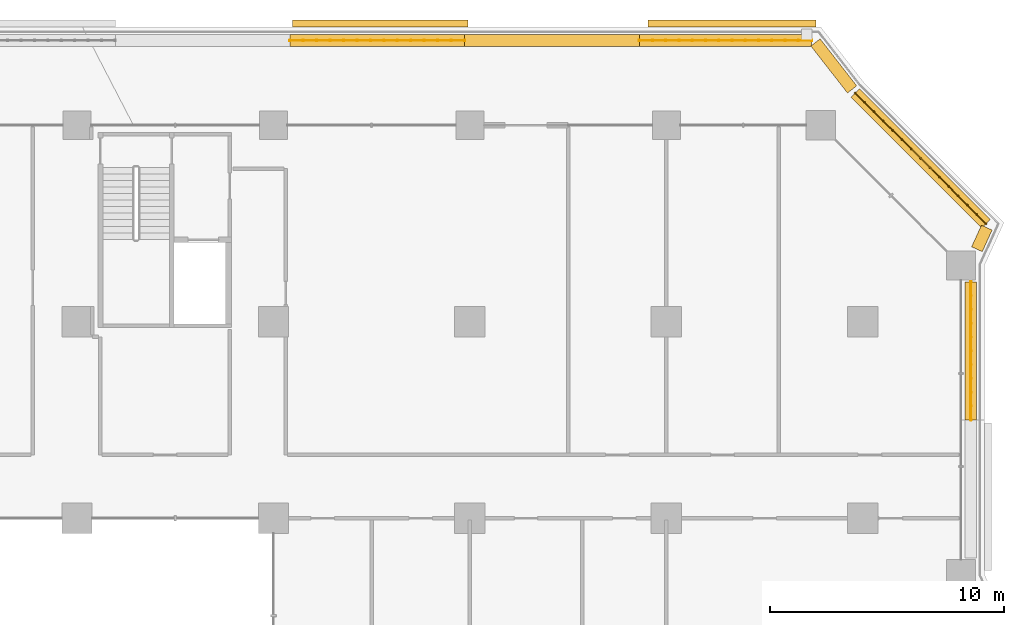
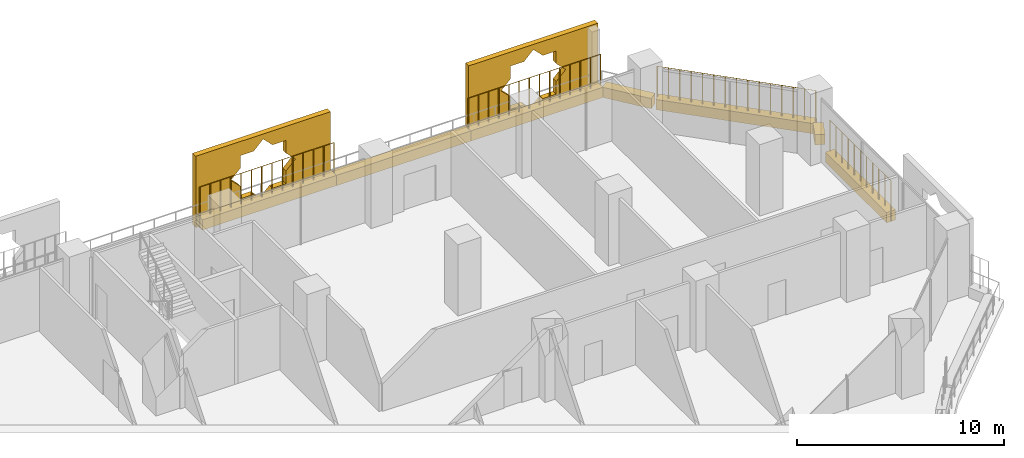
# One storey, part 28 of 28: 9 coverings, 4 railings.
"""IFC4 building model written with IfcOpenShell, lengths in metres."""

from ifc_helpers import new_model, si_unit, direction, frame, origin, origin_2d, place, context, subcontext, project, spatial, polyline, rectangle, circle, outline, extrude, material, material_profile, profile_set, type_object, element, save


model = new_model("IFC4")

# Units and contexts
model_context = context("Model", 3, precision=1e-05, world=origin(), true_north=direction((0.0, 1.0)))
body_context = subcontext(model_context, "Body", "Model", "MODEL_VIEW")
ifc_project = project(units=[si_unit("LENGTHUNIT", "METRE"), si_unit("AREAUNIT", "SQUARE_METRE"), si_unit("VOLUMEUNIT", "CUBIC_METRE"), si_unit("PLANEANGLEUNIT", "RADIAN"), si_unit("MASSUNIT", "GRAM", prefix="KILO")], contexts=[model_context])

# Site, building, storey
site_placement = place(None, origin())
site = spatial("IfcSite", under=ifc_project, at=site_placement, CompositionType="ELEMENT")
building_placement = place(site_placement, origin())
building = spatial("IfcBuilding", under=site, at=building_placement, Name="Kawkab Arch Medical Tower", CompositionType="ELEMENT")
storey_placement = place(building_placement, frame((0.0, 0.0, 47.60009765625)))
storey = spatial("IfcBuildingStorey", under=building, at=storey_placement, Name="L10", CompositionType="ELEMENT", Elevation=47.60009765625)

# Coverings
ifc_material_1 = material(Name="Bronze anodised aluminium mashrabiya panel, eight-point star pattern", Category="aluminium")
ifc_material_profile_1 = material_profile(ifc_material_1, outline(polyline([(-3.60009765625, -2.10009765625), (3.60009765625, -2.10009765625), (3.60009765625, 2.10009765625), (-3.60009765625, 2.10009765625), (-3.60009765625, -2.10009765625)]), holes=[polyline([(1.800048828125, 0.0), (1.272705078125, 0.527099609375), (1.272705078125, 1.272705078125), (0.527099609375, 1.272705078125), (0.0, 1.800048828125), (-0.527099609375, 1.272705078125), (-1.272705078125, 1.272705078125), (-1.272705078125, 0.527099609375), (-1.800048828125, 0.0), (-1.272705078125, -0.527099609375), (-1.272705078125, -1.272705078125), (-0.527099609375, -1.272705078125), (0.0, -1.800048828125), (0.527099609375, -1.272705078125), (1.272705078125, -1.272705078125), (1.272705078125, -0.527099609375), (1.800048828125, 0.0)])]), Name="Mashrabiya panel 7200x4200")
ifc_profile_set_1 = profile_set([ifc_material_profile_1], Name="Bronze anodised aluminium mashrabiya panel, eight-point star pattern")
covering_type_1 = type_object("IfcCoveringType", Name="Mashrabiya panel 7200 x 4200", PredefinedType="USERDEFINED", material=ifc_profile_set_1)
covering_1_placement = place(storey_placement, frame((70.009033203125, 4.199951171875, 1.699951171875), z_axis=(0.0, 1.0, 0.0), x_axis=(-1.0, 0.0, 0.0)))
element("IfcCovering", 1, at=covering_1_placement, inside=storey, type_object=covering_type_1, Name="Mashrabiya panel L10.LOG-01-02.8", ObjectType="SCREEN", PredefinedType="USERDEFINED", context=body_context, shape_type="SweptSolid", body=[
    extrude(outline(polyline([(-3.60009765625, -2.10009765625), (3.60009765625, -2.10009765625), (3.60009765625, 2.10009765625), (-3.60009765625, 2.10009765625), (-3.60009765625, -2.10009765625)]), holes=[polyline([(1.800048828125, 0.0), (1.272705078125, 0.527099609375), (1.272705078125, 1.272705078125), (0.527099609375, 1.272705078125), (0.0, 1.800048828125), (-0.527099609375, 1.272705078125), (-1.272705078125, 1.272705078125), (-1.272705078125, 0.527099609375), (-1.800048828125, 0.0), (-1.272705078125, -0.527099609375), (-1.272705078125, -1.272705078125), (-0.527099609375, -1.272705078125), (0.0, -1.800048828125), (0.527099609375, -1.272705078125), (1.272705078125, -1.272705078125), (1.272705078125, -0.527099609375), (1.800048828125, 0.0)])]), origin(), (0.0, 0.0, 1.0), 0.300048828125),
])
ifc_material_2 = material(Name="Bronze anodised aluminium mashrabiya panel, eight-point star pattern", Category="aluminium")
ifc_material_profile_2 = material_profile(ifc_material_2, outline(polyline([(-3.75, -2.10009765625), (3.75, -2.10009765625), (3.75, 2.10009765625), (-3.75, 2.10009765625), (-3.75, -2.10009765625)]), holes=[polyline([(1.800048828125, 0.0), (1.272705078125, 0.527099609375), (1.272705078125, 1.272705078125), (0.527099609375, 1.272705078125), (0.0, 1.800048828125), (-0.527099609375, 1.272705078125), (-1.272705078125, 1.272705078125), (-1.272705078125, 0.527099609375), (-1.800048828125, 0.0), (-1.272705078125, -0.527099609375), (-1.272705078125, -1.272705078125), (-0.527099609375, -1.272705078125), (0.0, -1.800048828125), (0.527099609375, -1.272705078125), (1.272705078125, -1.272705078125), (1.272705078125, -0.527099609375), (1.800048828125, 0.0)])]), Name="Mashrabiya panel 7500x4200")
ifc_profile_set_2 = profile_set([ifc_material_profile_2], Name="Bronze anodised aluminium mashrabiya panel, eight-point star pattern")
covering_type_2 = type_object("IfcCoveringType", Name="Mashrabiya panel 7500 x 4200", PredefinedType="USERDEFINED", material=ifc_profile_set_2)
covering_2_placement = place(storey_placement, frame((54.964599609375, 4.199951171875, 1.699951171875), z_axis=(0.0, 1.0, 0.0), x_axis=(-1.0, 0.0, 0.0)))
element("IfcCovering", 2, at=covering_2_placement, inside=storey, type_object=covering_type_2, Name="Mashrabiya panel L10.LOG-01-02.7", ObjectType="SCREEN", PredefinedType="USERDEFINED", context=body_context, shape_type="SweptSolid", body=[
    extrude(outline(polyline([(-3.75, -2.10009765625), (3.75, -2.10009765625), (3.75, 2.10009765625), (-3.75, 2.10009765625), (-3.75, -2.10009765625)]), holes=[polyline([(1.800048828125, 0.0), (1.272705078125, 0.527099609375), (1.272705078125, 1.272705078125), (0.527099609375, 1.272705078125), (0.0, 1.800048828125), (-0.527099609375, 1.272705078125), (-1.272705078125, 1.272705078125), (-1.272705078125, 0.527099609375), (-1.800048828125, 0.0), (-1.272705078125, -0.527099609375), (-1.272705078125, -1.272705078125), (-0.527099609375, -1.272705078125), (0.0, -1.800048828125), (0.527099609375, -1.272705078125), (1.272705078125, -1.272705078125), (1.272705078125, -0.527099609375), (1.800048828125, 0.0)])]), origin(), (0.0, 0.0, 1.0), 0.300048828125),
])
ifc_material_3 = material(Name="Planting soil in a precast trough", Category="concrete")
ifc_material_profile_3 = material_profile(ifc_material_3, rectangle(XDim=0.5, YDim=0.60009765625, at=origin_2d()), Name="Trough 500x600")
ifc_profile_set_3 = profile_set([ifc_material_profile_3], Name="Planting soil in a precast trough")
covering_type_3 = type_object("IfcCoveringType", Name="Planter trough 500 x 600", PredefinedType="USERDEFINED", material=ifc_profile_set_3)
covering_3_placement = place(storey_placement, frame((51.10498046875, 3.6201171875, 0.2998046875), z_axis=(1.0, 0.0, 0.0), x_axis=(0.0, 1.0, 0.0)))
element("IfcCovering", 3, at=covering_3_placement, inside=storey, type_object=covering_type_3, Name="Planter L10.LOG-01-02.31", ObjectType="PLANTER", PredefinedType="USERDEFINED", context=body_context, shape_type="SweptSolid", body=[
    extrude(rectangle(XDim=0.5, YDim=0.60009765625, at=origin_2d()), origin(), (0.0, 0.0, 1.0), 7.470947265625),
])
covering_4_placement = place(storey_placement, frame((58.575927734375, 3.6201171875, 0.2998046875), z_axis=(1.0, 0.0, 0.0), x_axis=(0.0, 1.0, 0.0)))
element("IfcCovering", 4, at=covering_4_placement, inside=storey, type_object=covering_type_3, Name="Planter L10.LOG-01-02.32", ObjectType="PLANTER", PredefinedType="USERDEFINED", context=body_context, shape_type="SweptSolid", body=[
    extrude(rectangle(XDim=0.5, YDim=0.60009765625, at=origin_2d()), origin(), (0.0, 0.0, 1.0), 7.469970703125),
])
covering_5_placement = place(storey_placement, frame((66.0458984375, 3.6201171875, 0.2998046875), z_axis=(1.0, 0.0, 0.0), x_axis=(0.0, 1.0, 0.0)))
element("IfcCovering", 5, at=covering_5_placement, inside=storey, type_object=covering_type_3, Name="Planter L10.LOG-01-02.33", ObjectType="PLANTER", PredefinedType="USERDEFINED", context=body_context, shape_type="SweptSolid", body=[
    extrude(rectangle(XDim=0.5, YDim=0.60009765625, at=origin_2d()), origin(), (0.0, 0.0, 1.0), 7.3701171875),
])
covering_6_placement = place(storey_placement, frame((73.577880859375, 3.541015625, 0.2998046875), z_axis=(0.614099956103, -0.789228258436, 0.0), x_axis=(0.789228258436, 0.614099956103, 0.0)))
element("IfcCovering", 6, at=covering_6_placement, inside=storey, type_object=covering_type_3, Name="Planter L10.LOG-01-02.34", ObjectType="PLANTER", PredefinedType="USERDEFINED", context=body_context, shape_type="SweptSolid", body=[
    extrude(rectangle(XDim=0.5, YDim=0.60009765625, at=origin_2d()), origin(), (0.0, 0.0, 1.0), 2.545654296875),
])
covering_7_placement = place(storey_placement, frame((75.27294921875, 1.383056640625, 0.2998046875), z_axis=(0.707106781187, -0.707106781187, 0.0), x_axis=(0.707106781187, 0.707106781187, 0.0)))
element("IfcCovering", 7, at=covering_7_placement, inside=storey, type_object=covering_type_3, Name="Planter L10.LOG-01-02.35", ObjectType="PLANTER", PredefinedType="USERDEFINED", context=body_context, shape_type="SweptSolid", body=[
    extrude(rectangle(XDim=0.5, YDim=0.60009765625, at=origin_2d()), origin(), (0.0, 0.0, 1.0), 7.919677734375),
])
covering_8_placement = place(storey_placement, frame((80.902099609375, -4.37890625, 0.2998046875), z_axis=(-0.415071571878, -0.909788761317, 0.0), x_axis=(0.909788761317, -0.415071571878, 0.0)))
element("IfcCovering", 8, at=covering_8_placement, inside=storey, type_object=covering_type_3, Name="Planter L10.LOG-01-02.36", ObjectType="PLANTER", PredefinedType="USERDEFINED", context=body_context, shape_type="SweptSolid", body=[
    extrude(rectangle(XDim=0.5, YDim=0.60009765625, at=origin_2d()), origin(), (0.0, 0.0, 1.0), 1.0146484375),
])
covering_9_placement = place(storey_placement, frame((80.219970703125, -6.705078125, 0.2998046875), z_axis=(0.0, -1.0, 0.0), x_axis=(1.0, 0.0, 0.0)))
element("IfcCovering", 9, at=covering_9_placement, inside=storey, type_object=covering_type_3, Name="Planter L10.LOG-01-02.37", ObjectType="PLANTER", PredefinedType="USERDEFINED", context=body_context, shape_type="SweptSolid", body=[
    extrude(rectangle(XDim=0.5, YDim=0.60009765625, at=origin_2d()), origin(), (0.0, 0.0, 1.0), 5.89501953125),
])

# Railings
ifc_material_4 = material(Name="Bronze anodised aluminium trellis for climbing plants", Category="aluminium")
railing_type = type_object("IfcRailingType", Name="Planting trellis 2400", PredefinedType="USERDEFINED", material=ifc_material_4)
railing_1_placement = place(storey_placement, frame((51.10498046875, 3.6201171875, 0.0)))
element("IfcRailing", 10, at=railing_1_placement, inside=storey, type_object=railing_type, Name="Planting trellis L10.LOG-01-02.31", ObjectType="TRELLIS", PredefinedType="USERDEFINED", context=body_context, shape_type="SweptSolid", body=[
    extrude(circle(Radius=0.01513671875, at=origin_2d()), frame((0.0, 0.0, 2.384765625), z_axis=(1.0, 0.0, 0.0), x_axis=(0.0, 1.0, 0.0)), (0.0, 0.0, 1.0), 7.470947265625),
    extrude(circle(Radius=0.030029296875, at=origin_2d()), origin(), (0.0, 0.0, 1.0), 2.369873046875),
    extrude(circle(Radius=0.030029296875, at=origin_2d()), frame((0.57470703125, 0.0, 0.0)), (0.0, 0.0, 1.0), 2.369873046875),
    extrude(circle(Radius=0.030029296875, at=origin_2d()), frame((1.1494140625, 0.0, 0.0)), (0.0, 0.0, 1.0), 2.369873046875),
    extrude(circle(Radius=0.030029296875, at=origin_2d()), frame((1.72412109375, 0.0, 0.0)), (0.0, 0.0, 1.0), 2.369873046875),
    extrude(circle(Radius=0.030029296875, at=origin_2d()), frame((2.298828125, 0.0, 0.0)), (0.0, 0.0, 1.0), 2.369873046875),
    extrude(circle(Radius=0.030029296875, at=origin_2d()), frame((2.87353515625, 0.0, 0.0)), (0.0, 0.0, 1.0), 2.369873046875),
    extrude(circle(Radius=0.030029296875, at=origin_2d()), frame((3.4482421875, 0.0, 0.0)), (0.0, 0.0, 1.0), 2.369873046875),
    extrude(circle(Radius=0.030029296875, at=origin_2d()), frame((4.022705078125, 0.0, 0.0)), (0.0, 0.0, 1.0), 2.369873046875),
    extrude(circle(Radius=0.030029296875, at=origin_2d()), frame((4.597412109375, 0.0, 0.0)), (0.0, 0.0, 1.0), 2.369873046875),
    extrude(circle(Radius=0.030029296875, at=origin_2d()), frame((5.172119140625, 0.0, 0.0)), (0.0, 0.0, 1.0), 2.369873046875),
    extrude(circle(Radius=0.030029296875, at=origin_2d()), frame((5.746826171875, 0.0, 0.0)), (0.0, 0.0, 1.0), 2.369873046875),
    extrude(circle(Radius=0.030029296875, at=origin_2d()), frame((6.321533203125, 0.0, 0.0)), (0.0, 0.0, 1.0), 2.369873046875),
    extrude(circle(Radius=0.030029296875, at=origin_2d()), frame((6.896240234375, 0.0, 0.0)), (0.0, 0.0, 1.0), 2.369873046875),
    extrude(circle(Radius=0.030029296875, at=origin_2d()), frame((7.470947265625, 0.0, 0.0)), (0.0, 0.0, 1.0), 2.369873046875),
])
railing_2_placement = place(storey_placement, frame((66.0458984375, 3.6201171875, 0.0)))
element("IfcRailing", 11, at=railing_2_placement, inside=storey, type_object=railing_type, Name="Planting trellis L10.LOG-01-02.33", ObjectType="TRELLIS", PredefinedType="USERDEFINED", context=body_context, shape_type="SweptSolid", body=[
    extrude(circle(Radius=0.01513671875, at=origin_2d()), frame((0.0, 0.0, 2.384765625), z_axis=(1.0, 0.0, 0.0), x_axis=(0.0, 1.0, 0.0)), (0.0, 0.0, 1.0), 7.3701171875),
    extrude(circle(Radius=0.030029296875, at=origin_2d()), origin(), (0.0, 0.0, 1.0), 2.369873046875),
    extrude(circle(Radius=0.030029296875, at=origin_2d()), frame((0.56689453125, 0.0, 0.0)), (0.0, 0.0, 1.0), 2.369873046875),
    extrude(circle(Radius=0.030029296875, at=origin_2d()), frame((1.1337890625, 0.0, 0.0)), (0.0, 0.0, 1.0), 2.369873046875),
    extrude(circle(Radius=0.030029296875, at=origin_2d()), frame((1.70068359375, 0.0, 0.0)), (0.0, 0.0, 1.0), 2.369873046875),
    extrude(circle(Radius=0.030029296875, at=origin_2d()), frame((2.267822265625, 0.0, 0.0)), (0.0, 0.0, 1.0), 2.369873046875),
    extrude(circle(Radius=0.030029296875, at=origin_2d()), frame((2.834716796875, 0.0, 0.0)), (0.0, 0.0, 1.0), 2.369873046875),
    extrude(circle(Radius=0.030029296875, at=origin_2d()), frame((3.401611328125, 0.0, 0.0)), (0.0, 0.0, 1.0), 2.369873046875),
    extrude(circle(Radius=0.030029296875, at=origin_2d()), frame((3.968505859375, 0.0, 0.0)), (0.0, 0.0, 1.0), 2.369873046875),
    extrude(circle(Radius=0.030029296875, at=origin_2d()), frame((4.535400390625, 0.0, 0.0)), (0.0, 0.0, 1.0), 2.369873046875),
    extrude(circle(Radius=0.030029296875, at=origin_2d()), frame((5.102294921875, 0.0, 0.0)), (0.0, 0.0, 1.0), 2.369873046875),
    extrude(circle(Radius=0.030029296875, at=origin_2d()), frame((5.66943359375, 0.0, 0.0)), (0.0, 0.0, 1.0), 2.369873046875),
    extrude(circle(Radius=0.030029296875, at=origin_2d()), frame((6.236328125, 0.0, 0.0)), (0.0, 0.0, 1.0), 2.369873046875),
    extrude(circle(Radius=0.030029296875, at=origin_2d()), frame((6.80322265625, 0.0, 0.0)), (0.0, 0.0, 1.0), 2.369873046875),
    extrude(circle(Radius=0.030029296875, at=origin_2d()), frame((7.3701171875, 0.0, 0.0)), (0.0, 0.0, 1.0), 2.369873046875),
])
railing_3_placement = place(storey_placement, frame((75.27294921875, 1.383056640625, 0.0)))
element("IfcRailing", 12, at=railing_3_placement, inside=storey, type_object=railing_type, Name="Planting trellis L10.LOG-01-02.35", ObjectType="TRELLIS", PredefinedType="USERDEFINED", context=body_context, shape_type="SweptSolid", body=[
    extrude(circle(Radius=0.01513671875, at=origin_2d()), frame((0.0, 0.0, 2.384765625), z_axis=(0.707106781187, -0.707106781187, 0.0), x_axis=(0.707106781187, 0.707106781187, 0.0)), (0.0, 0.0, 1.0), 7.919677734375),
    extrude(circle(Radius=0.030029296875, at=origin_2d()), origin(), (0.0, 0.0, 1.0), 2.369873046875),
    extrude(circle(Radius=0.030029296875, at=origin_2d()), frame((0.39990234375, -0.39990234375, 0.0)), (0.0, 0.0, 1.0), 2.369873046875),
    extrude(circle(Radius=0.030029296875, at=origin_2d()), frame((0.800048828125, -0.800048828125, 0.0)), (0.0, 0.0, 1.0), 2.369873046875),
    extrude(circle(Radius=0.030029296875, at=origin_2d()), frame((1.199951171875, -1.199951171875, 0.0)), (0.0, 0.0, 1.0), 2.369873046875),
    extrude(circle(Radius=0.030029296875, at=origin_2d()), frame((1.60009765625, -1.60009765625, 0.0)), (0.0, 0.0, 1.0), 2.369873046875),
    extrude(circle(Radius=0.030029296875, at=origin_2d()), frame((2.0, -2.0, 0.0)), (0.0, 0.0, 1.0), 2.369873046875),
    extrude(circle(Radius=0.030029296875, at=origin_2d()), frame((2.400146484375, -2.400146484375, 0.0)), (0.0, 0.0, 1.0), 2.369873046875),
    extrude(circle(Radius=0.030029296875, at=origin_2d()), frame((2.800048828125, -2.800048828125, 0.0)), (0.0, 0.0, 1.0), 2.369873046875),
    extrude(circle(Radius=0.030029296875, at=origin_2d()), frame((3.199951171875, -3.199951171875, 0.0)), (0.0, 0.0, 1.0), 2.369873046875),
    extrude(circle(Radius=0.030029296875, at=origin_2d()), frame((3.60009765625, -3.60009765625, 0.0)), (0.0, 0.0, 1.0), 2.369873046875),
    extrude(circle(Radius=0.030029296875, at=origin_2d()), frame((4.0, -4.0, 0.0)), (0.0, 0.0, 1.0), 2.369873046875),
    extrude(circle(Radius=0.030029296875, at=origin_2d()), frame((4.400146484375, -4.400146484375, 0.0)), (0.0, 0.0, 1.0), 2.369873046875),
    extrude(circle(Radius=0.030029296875, at=origin_2d()), frame((4.800048828125, -4.800048828125, 0.0)), (0.0, 0.0, 1.0), 2.369873046875),
    extrude(circle(Radius=0.030029296875, at=origin_2d()), frame((5.2001953125, -5.2001953125, 0.0)), (0.0, 0.0, 1.0), 2.369873046875),
    extrude(circle(Radius=0.030029296875, at=origin_2d()), frame((5.60009765625, -5.60009765625, 0.0)), (0.0, 0.0, 1.0), 2.369873046875),
])
railing_4_placement = place(storey_placement, frame((80.219970703125, -6.705078125, 0.0)))
element("IfcRailing", 13, at=railing_4_placement, inside=storey, type_object=railing_type, Name="Planting trellis L10.LOG-01-02.37", ObjectType="TRELLIS", PredefinedType="USERDEFINED", context=body_context, shape_type="SweptSolid", body=[
    extrude(circle(Radius=0.01513671875, at=origin_2d()), frame((0.0, 0.0, 2.384765625), z_axis=(0.0, -1.0, 0.0), x_axis=(1.0, 0.0, 0.0)), (0.0, 0.0, 1.0), 5.89501953125),
    extrude(circle(Radius=0.030029296875, at=origin_2d()), origin(), (0.0, 0.0, 1.0), 2.369873046875),
    extrude(circle(Radius=0.030029296875, at=origin_2d()), frame((0.0, -0.589599609375, 0.0)), (0.0, 0.0, 1.0), 2.369873046875),
    extrude(circle(Radius=0.030029296875, at=origin_2d()), frame((0.0, -1.178955078125, 0.0)), (0.0, 0.0, 1.0), 2.369873046875),
    extrude(circle(Radius=0.030029296875, at=origin_2d()), frame((0.0, -1.7685546875, 0.0)), (0.0, 0.0, 1.0), 2.369873046875),
    extrude(circle(Radius=0.030029296875, at=origin_2d()), frame((0.0, -2.35791015625, 0.0)), (0.0, 0.0, 1.0), 2.369873046875),
    extrude(circle(Radius=0.030029296875, at=origin_2d()), frame((0.0, -2.947509765625, 0.0)), (0.0, 0.0, 1.0), 2.369873046875),
    extrude(circle(Radius=0.030029296875, at=origin_2d()), frame((0.0, -3.537109375, 0.0)), (0.0, 0.0, 1.0), 2.369873046875),
    extrude(circle(Radius=0.030029296875, at=origin_2d()), frame((0.0, -4.12646484375, 0.0)), (0.0, 0.0, 1.0), 2.369873046875),
    extrude(circle(Radius=0.030029296875, at=origin_2d()), frame((0.0, -4.716064453125, 0.0)), (0.0, 0.0, 1.0), 2.369873046875),
    extrude(circle(Radius=0.030029296875, at=origin_2d()), frame((0.0, -5.305419921875, 0.0)), (0.0, 0.0, 1.0), 2.369873046875),
    extrude(circle(Radius=0.030029296875, at=origin_2d()), frame((0.0, -5.89501953125, 0.0)), (0.0, 0.0, 1.0), 2.369873046875),
])

save(model, "model.ifc")
